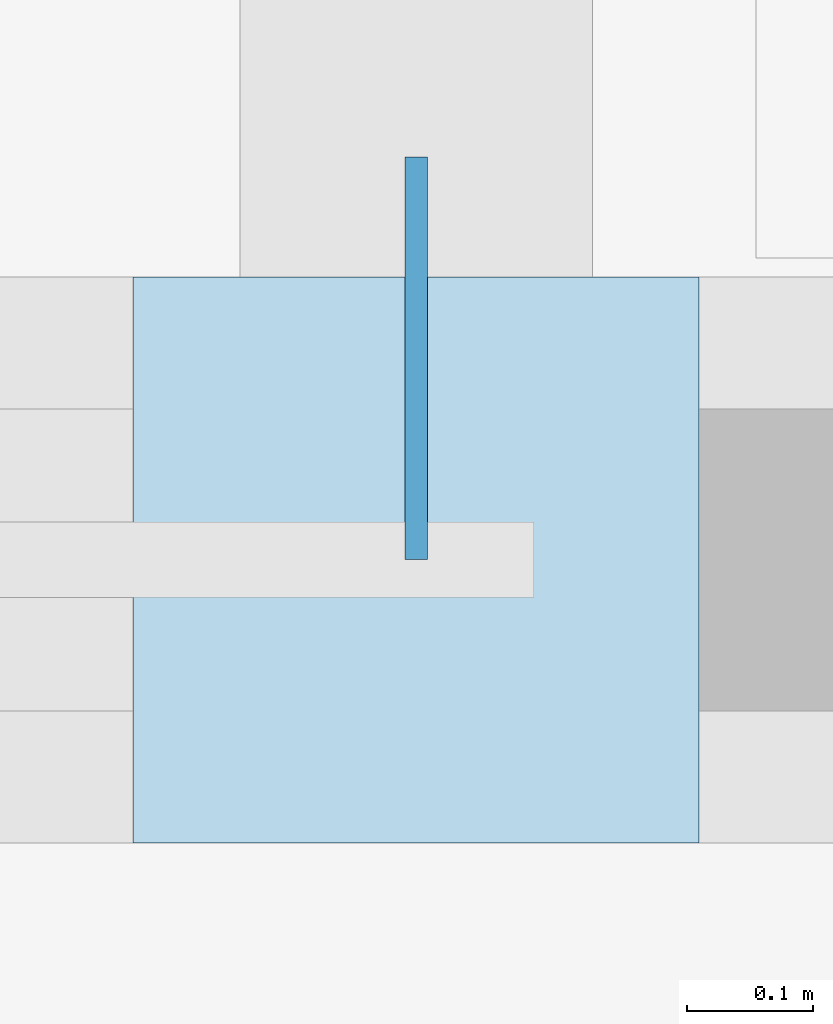
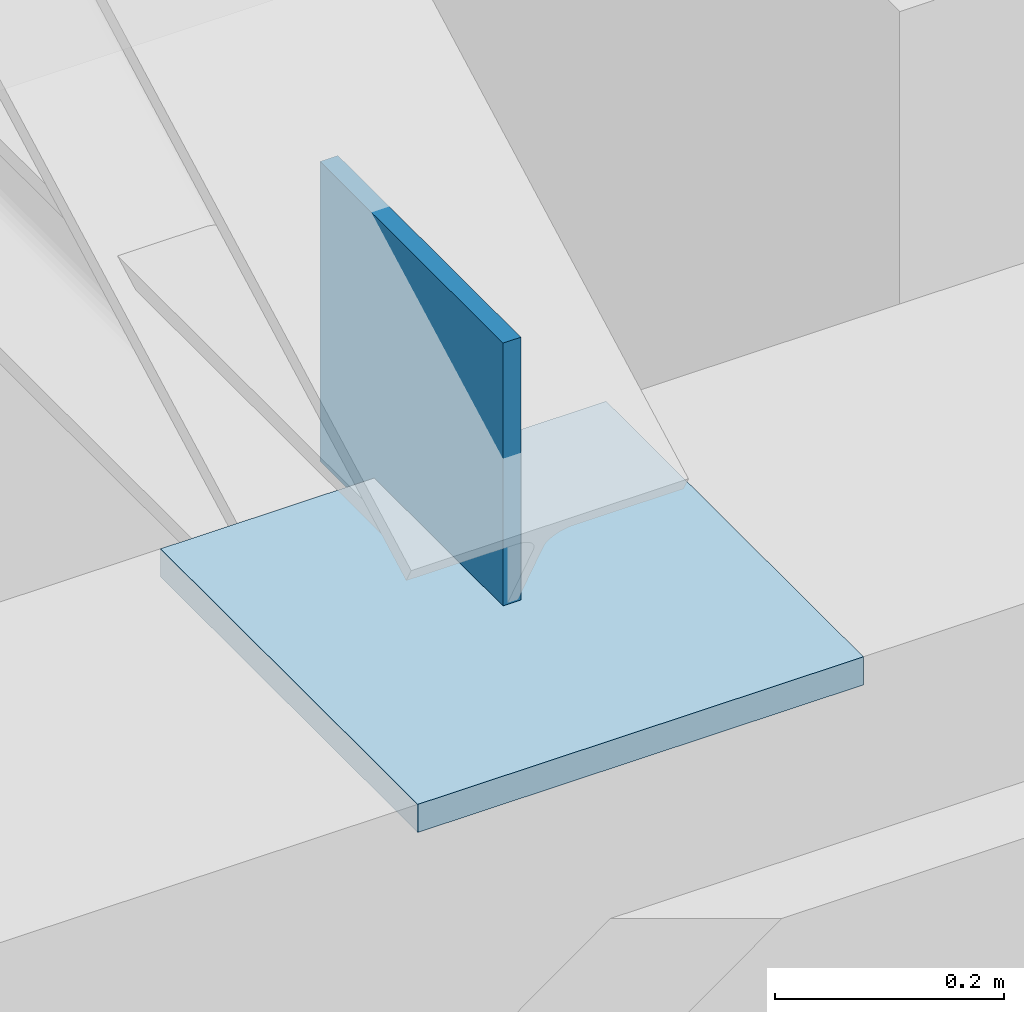
# One storey, part 90 of 143: 2 plates.
"""IFC4 building model written with IfcOpenShell, lengths in metres."""

import ifcopenshell
import ifcopenshell.guid

model = None  # the IFC model being written
_history = None  # IfcOwnerHistory: only IFC2X3 demands one
_inside = {}  # id of a spatial element -> (the spatial element, [elements in it])
_under = {}  # id of a project, library or spatial element -> (it, [spatial elements below it])
_declared = {}  # id of a project -> (the project, [libraries it declares])
_typed = {}  # id of a type object -> (the type object, [elements of that type])
_made_of = {}  # id of a material, layer set ... -> (it, [elements and type objects made of it])


def new_model(schema):
    """Start an empty IFC model of exactly this schema.

    Asked for "IFC4X3", IfcOpenShell would pick the latest addendum, in which some entities
    have other attributes; the version numbers below select the first issue.
    IFC2X3 requires an IfcOwnerHistory on every rooted entity: one is made here for all.
    """
    global model, _history
    if schema == "IFC4X3":
        model = ifcopenshell.file(schema_version=(4, 3, 0, 0))
    else:
        model = ifcopenshell.file(schema=schema)
    _inside.clear()
    _under.clear()
    _declared.clear()
    _typed.clear()
    _made_of.clear()
    _history = None
    if model.schema == "IFC2X3":
        org = make("IfcOrganization", Name="unknown")
        user = make(
            "IfcPersonAndOrganization",
            ThePerson=make("IfcPerson", FamilyName="unknown"),
            TheOrganization=org,
        )
        app = make(
            "IfcApplication",
            ApplicationDeveloper=org,
            Version="unknown",
            ApplicationFullName="unknown",
            ApplicationIdentifier="unknown",
        )
        _history = make(
            "IfcOwnerHistory",
            OwningUser=user,
            OwningApplication=app,
            ChangeAction="ADDED",
            CreationDate=0,
        )
    return model


def make(cls, **values):
    """One entity of the class cls with the attributes given. An attribute that is None is left unset."""
    return model.create_entity(
        cls, **{name: value for name, value in values.items() if value is not None}
    )


def rooted(cls, **values):
    """An entity with a GlobalId (a new one), such as an element, a storey or a relation."""
    return make(cls, GlobalId=ifcopenshell.guid.new(), OwnerHistory=_history, **values)


def si_unit(unit_type, name, prefix=None):
    """IfcSIUnit, for example si_unit("LENGTHUNIT", "METRE", prefix="MILLI")."""
    return make("IfcSIUnit", UnitType=unit_type, Prefix=prefix, Name=name)


def assignment(units):
    """IfcUnitAssignment: the units of a project."""
    return None if units is None else make("IfcUnitAssignment", Units=units)


def point(xyz):
    """IfcCartesianPoint."""
    return None if xyz is None else make("IfcCartesianPoint", Coordinates=xyz)


def direction(xyz):
    """IfcDirection."""
    return None if xyz is None else make("IfcDirection", DirectionRatios=xyz)


def frame(location, z_axis=None, x_axis=None):
    """IfcAxis2Placement3D, a coordinate frame: its origin and axes. An axis left out is left unset."""
    return make(
        "IfcAxis2Placement3D",
        Location=point(location),
        Axis=direction(z_axis),
        RefDirection=direction(x_axis),
    )


def frame_2d(location, x_axis=None):
    """IfcAxis2Placement2D, a coordinate frame in the plane: its origin and x axis."""
    return make(
        "IfcAxis2Placement2D", Location=point(location), RefDirection=direction(x_axis)
    )


def origin():
    """The frame at (0, 0, 0) with its axes left unset."""
    return frame((0.0, 0.0, 0.0))


def origin_2d():
    """The frame at (0, 0) in the plane with its x axis left unset."""
    return frame_2d((0.0, 0.0))


def place(relative_to, where):
    """IfcLocalPlacement: puts the frame where relative to a parent placement (None: the world)."""
    return make(
        "IfcLocalPlacement", PlacementRelTo=relative_to, RelativePlacement=where
    )


def context(
    kind, dimensions, precision=None, world=None, true_north=None, identifier=None
):
    """IfcGeometricRepresentationContext, for example the 3D "Model" context."""
    return make(
        "IfcGeometricRepresentationContext",
        ContextIdentifier=identifier,
        ContextType=kind,
        CoordinateSpaceDimension=dimensions,
        Precision=precision,
        WorldCoordinateSystem=world,
        TrueNorth=true_north,
    )


def subcontext(parent, identifier, kind, view, scale=None):
    """IfcGeometricRepresentationSubContext, for example "Body" below "Model"."""
    return make(
        "IfcGeometricRepresentationSubContext",
        ContextIdentifier=identifier,
        ContextType=kind,
        ParentContext=parent,
        TargetScale=scale,
        TargetView=view,
    )


def project(units=None, contexts=None):
    """IfcProject with its units and contexts."""
    return rooted(
        "IfcProject",
        Name="project",
        RepresentationContexts=contexts,
        UnitsInContext=assignment(units),
    )


def spatial(cls, under=None, at=None, **own):
    """A site, building, storey or space (cls), placed at a placement, below another one or the project."""
    s = rooted(cls, ObjectPlacement=at, **own)
    if under is not None:
        _under.setdefault(under.id(), (under, []))[1].append(s)
    return s


def profile(cls, at=None, kind="AREA", **sizes):
    """A parametric profile (cls). Its sizes go by their IFC names, for example OverallWidth=200.0."""
    return make(cls, ProfileType=kind, Position=at, **sizes)


def rectangle(**sizes):
    """IfcRectangleProfileDef."""
    return profile("IfcRectangleProfileDef", **sizes)


def extrude(swept, where, along, depth):
    """IfcExtrudedAreaSolid: the profile swept, set in the frame where, extruded along a direction by depth."""
    return make(
        "IfcExtrudedAreaSolid",
        SweptArea=swept,
        Position=where,
        ExtrudedDirection=direction(along),
        Depth=depth,
    )


def shape(context_of_items, identifier, shape_type, items):
    """IfcShapeRepresentation: the items that make up one representation, for example the "Body"."""
    return make(
        "IfcShapeRepresentation",
        ContextOfItems=context_of_items,
        RepresentationIdentifier=identifier,
        RepresentationType=shape_type,
        Items=items,
    )


def material(Name=None, Category=None):
    """IfcMaterial."""
    return make("IfcMaterial", Name=Name, Category=Category)


def layer(
    of_material, thickness, ventilated=None, Name=None, Category=None, Priority=None
):
    """IfcMaterialLayer: one layer of a wall or slab, of a material (None: an air gap)."""
    return make(
        "IfcMaterialLayer",
        Material=of_material,
        LayerThickness=thickness,
        IsVentilated=ventilated,
        Name=Name,
        Category=Category,
        Priority=Priority,
    )


def layer_set(layers, Name=None):
    """IfcMaterialLayerSet."""
    return make("IfcMaterialLayerSet", MaterialLayers=layers, LayerSetName=Name)


def made_of(thing, what):
    """Note that an element or type object is made of a material, layer set ...; save() writes the relation."""
    if what is not None:
        _made_of.setdefault(what.id(), (what, []))[1].append(thing)
    return thing


def type_object(cls, material=None, **own):
    """A type object (cls), such as IfcWallType, which elements share."""
    return made_of(rooted(cls, **own), material)


def element(
    cls,
    number,
    at=None,
    inside=None,
    cuts=None,
    type_object=None,
    material=None,
    context=None,
    identifier="Body",
    shape_type=None,
    held_by="IfcProductDefinitionShape",
    body=None,
    shapes=None,
    **own,
):
    """One element of the class cls, such as IfcWall. Its Tag is "e" and its number.

    at: its placement. inside: the storey or other place that contains it. cuts: it is an
    opening in that element (IfcRelVoidsElement). A single representation is given by context,
    identifier, shape_type and body (its items); several are given by shapes. held_by: the class
    of the entity that holds the representations. save() writes the other relations.
    """
    e = rooted(cls, Tag="e%d" % number, ObjectPlacement=at, **own)
    if body is not None:
        shapes = [shape(context, identifier, shape_type, body)]
    if shapes is not None:
        e.Representation = make(held_by, Representations=shapes)
    if inside is not None:
        _inside.setdefault(inside.id(), (inside, []))[1].append(e)
    if cuts is not None:
        rooted(
            "IfcRelVoidsElement", RelatingBuildingElement=cuts, RelatedOpeningElement=e
        )
    if type_object is not None:
        _typed.setdefault(type_object.id(), (type_object, []))[1].append(e)
    return made_of(e, material)


def aggregate(whole, parts):
    """IfcRelAggregates: a whole, such as a stair, and the parts it consists of."""
    return rooted("IfcRelAggregates", RelatingObject=whole, RelatedObjects=parts)


def save(model, path):
    """Write the relations noted so far, then the file.

    IfcRelAggregates (storeys below a building ...), IfcRelContainedInSpatialStructure (elements
    in a storey), IfcRelDefinesByType, IfcRelAssociatesMaterial and IfcRelDeclares: one each for
    every whole, place, type object, material and project.
    """
    for whole, parts in _under.values():
        aggregate(whole, parts)
    for where, things in _inside.values():
        rooted(
            "IfcRelContainedInSpatialStructure",
            RelatedElements=things,
            RelatingStructure=where,
        )
    for kind, things in _typed.values():
        rooted("IfcRelDefinesByType", RelatedObjects=things, RelatingType=kind)
    for what, things in _made_of.values():
        rooted("IfcRelAssociatesMaterial", RelatedObjects=things, RelatingMaterial=what)
    for by, libraries in _declared.values():
        rooted("IfcRelDeclares", RelatingContext=by, RelatedDefinitions=libraries)
    model.write(path)


model = new_model("IFC4")

# Units and contexts
model_context = context("Model", 3, precision=1e-05, world=origin(), true_north=direction((0.0, 1.0)))
body_context = subcontext(model_context, "Body", "Model", "MODEL_VIEW")
ifc_project = project(units=[si_unit("LENGTHUNIT", "METRE"), si_unit("AREAUNIT", "SQUARE_METRE"), si_unit("VOLUMEUNIT", "CUBIC_METRE"), si_unit("PLANEANGLEUNIT", "RADIAN"), si_unit("MASSUNIT", "GRAM", prefix="KILO")], contexts=[model_context])

# Site, building, storey
site_placement = place(None, origin())
site = spatial("IfcSite", under=ifc_project, at=site_placement, CompositionType="ELEMENT")
building_placement = place(site_placement, origin())
building = spatial("IfcBuilding", under=site, at=building_placement, Name="Kveldsbrygga Polytechnic", CompositionType="ELEMENT")
storey_placement = place(building_placement, origin())
storey = spatial("IfcBuildingStorey", under=building, at=storey_placement, Name="L00", CompositionType="ELEMENT", Elevation=0.0)

# Plates
ifc_material = material(Name="Steel S355", Category="steel")
ifc_layer_1 = layer(ifc_material, 0.030029296875)
ifc_layer_set_1 = layer_set([ifc_layer_1], Name="Steel S355")
plate_type_1 = type_object("IfcPlateType", Name="CAP-BEAR-450", PredefinedType="SHEET", material=ifc_layer_set_1)
plate_1_placement = place(storey_placement, frame((124.75, 25.199951171875, 5.10986328125), z_axis=(0.0, 0.0, 1.0), x_axis=(1.0, 0.0, 0.0)))
element("IfcPlate", 1, at=plate_1_placement, inside=storey, type_object=plate_type_1, Name="Truss Bearing Plate ARC-ES-T07-A", PredefinedType="SHEET", context=body_context, shape_type="SweptSolid", body=[
    extrude(rectangle(XDim=0.449951171875, YDim=0.449951171875, at=origin_2d()), origin(), (0.0, 0.0, 1.0), 0.030029296875),
])
ifc_layer_2 = layer(ifc_material, 0.01806640625)
ifc_layer_set_2 = layer_set([ifc_layer_2], Name="Steel S355")
plate_type_2 = type_object("IfcPlateType", Name="GUS-BRACE-320", PredefinedType="SHEET", material=ifc_layer_set_2)
plate_2_placement = place(storey_placement, frame((124.75, 25.360107421875, 5.10009765625), z_axis=(0.0, 0.0, 1.0), x_axis=(1.0, 0.0, 0.0)))
element("IfcPlate", 2, at=plate_2_placement, inside=storey, type_object=plate_type_2, Name="Truss Eaves Node Gusset ARC-ES-T07-EGP-A", PredefinedType="SHEET", context=body_context, shape_type="SweptSolid", body=[
    extrude(rectangle(XDim=0.01806640625, YDim=0.320068359375, at=origin_2d()), origin(), (0.0, 0.0, 1.0), 0.320068359375),
])

save(model, "model.ifc")
